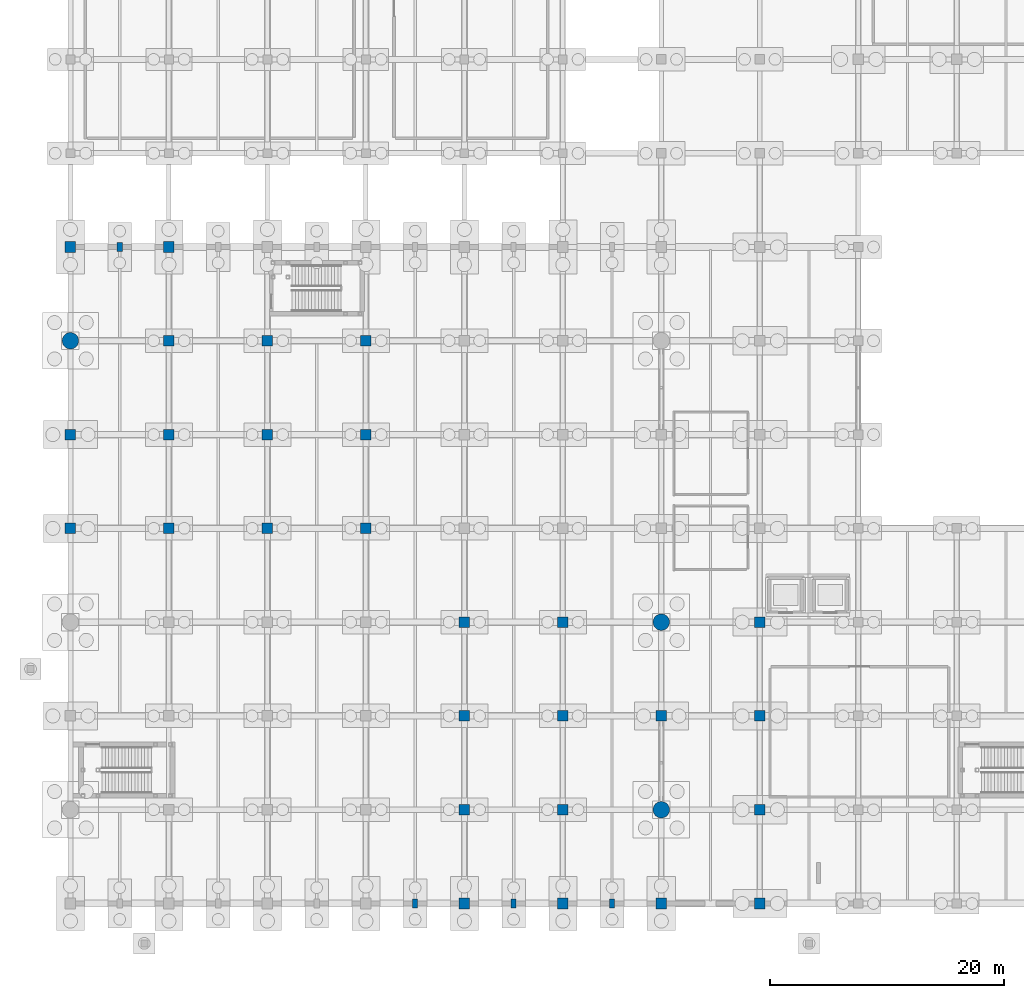
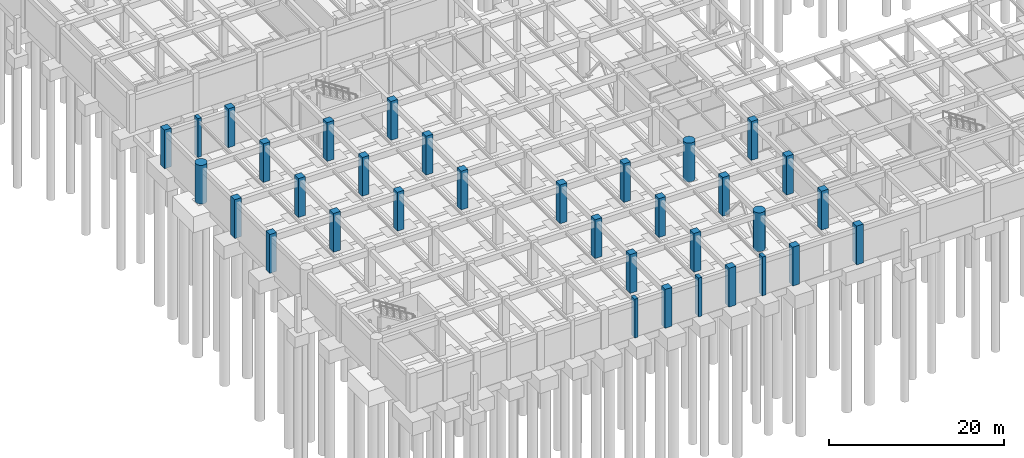
# One storey, part 12 of 56: 34 columns.
"""IFC4 building model written with IfcOpenShell, lengths in metres."""

from ifc_helpers import new_model, si_unit, direction, frame, origin, origin_2d, place, context, subcontext, project, spatial, rectangle, circle, extrude, material, material_profile, profile_set, type_object, element, save


model = new_model("IFC4")

# Units and contexts
model_context = context("Model", 3, precision=1e-05, world=origin(), true_north=direction((0.0, 1.0)))
body_context = subcontext(model_context, "Body", "Model", "MODEL_VIEW")
ifc_project = project(units=[si_unit("LENGTHUNIT", "METRE"), si_unit("AREAUNIT", "SQUARE_METRE"), si_unit("VOLUMEUNIT", "CUBIC_METRE"), si_unit("PLANEANGLEUNIT", "RADIAN"), si_unit("MASSUNIT", "GRAM", prefix="KILO")], contexts=[model_context])

# Site, building, storey
site_placement = place(None, origin())
site = spatial("IfcSite", under=ifc_project, at=site_placement, CompositionType="ELEMENT")
building_placement = place(site_placement, origin())
building = spatial("IfcBuilding", under=site, at=building_placement, Name="Naruveol Harbour Congress Hotel", CompositionType="ELEMENT")
storey_placement = place(building_placement, frame((0.0, 0.0, -5.39990234375)))
storey = spatial("IfcBuildingStorey", under=building, at=storey_placement, Name="B01", CompositionType="ELEMENT", Elevation=-5.39990234375)

# Columns
ifc_material_1 = material(Name="Concrete C50/60", Category="concrete")
ifc_material_profile_1 = material_profile(ifc_material_1, rectangle(XDim=0.449951171875, YDim=0.800048828125, at=origin_2d()), Name="RC-450x800")
ifc_profile_set_1 = profile_set([ifc_material_profile_1], Name="Concrete C50/60")
column_type_1 = type_object("IfcColumnType", Name="RC ACOUSTIC WALL PILASTER 450X800", PredefinedType="PILASTER", material=ifc_profile_set_1)
for number, where, z_axis, x_axis, name in (
    (1, (4.199951171875, 56.0, 0.0), (0.0, 0.0, 1.0), (1.0, 0.0, 0.0), "Column PL-450 B01 (4.2,56.0)"),
    (2, (29.39990234375, 0.0, 0.0), (0.0, 0.0, 1.0), (1.0, 0.0, 0.0), "Column PL-450 B01 (29.4,0.0)"),
    (3, (37.800048828125, 0.0, 0.0), (0.0, 0.0, 1.0), (1.0, 0.0, 0.0), "Column PL-450 B01 (37.8,0.0)"),
    (4, (46.199951171875, 0.0, 0.0), (0.0, 0.0, 1.0), (1.0, 0.0, 0.0), "Column PL-450 B01 (46.2,0.0)"),
):
    element("IfcColumn", number, at=place(storey_placement, frame(where, z_axis=z_axis, x_axis=x_axis)), inside=storey, type_object=column_type_1, Name=name, PredefinedType="PILASTER", context=body_context, shape_type="SweptSolid", body=[
        extrude(rectangle(XDim=0.449951171875, YDim=0.800048828125, at=origin_2d()), origin(), (0.0, 0.0, 1.0), 5.39990234375),
    ])
ifc_material_2 = material(Name="Concrete C50/60", Category="concrete")
ifc_material_profile_2 = material_profile(ifc_material_2, circle(Radius=0.699951171875, at=origin_2d()), Name="RC-D1400")
ifc_profile_set_2 = profile_set([ifc_material_profile_2], Name="Concrete C50/60")
column_type_2 = type_object("IfcColumnType", Name="RC MEGA COLUMN D1400", PredefinedType="COLUMN", material=ifc_profile_set_2)
for number, where, z_axis, x_axis, name in (
    (5, (0.0, 48.0, 0.0), (0.0, 0.0, 1.0), (1.0, 0.0, 0.0), "Column C-MD1400 B01 (0.0,48.0)"),
    (6, (50.39990234375, 8.0, 0.0), (0.0, 0.0, 1.0), (1.0, 0.0, 0.0), "Column C-MD1400 B01 (50.4,8.0)"),
    (7, (50.39990234375, 24.0, 0.0), (0.0, 0.0, 1.0), (1.0, 0.0, 0.0), "Column C-MD1400 B01 (50.4,24.0)"),
):
    element("IfcColumn", number, at=place(storey_placement, frame(where, z_axis=z_axis, x_axis=x_axis)), inside=storey, type_object=column_type_2, Name=name, PredefinedType="COLUMN", context=body_context, shape_type="SweptSolid", body=[
        extrude(circle(Radius=0.699951171875, at=origin_2d()), origin(), (0.0, 0.0, 1.0), 5.39990234375),
    ])
ifc_material_3 = material(Name="Concrete C50/60", Category="concrete")
ifc_material_profile_3 = material_profile(ifc_material_3, rectangle(XDim=0.89990234375, YDim=0.89990234375, at=origin_2d()), Name="RC-900x900")
ifc_profile_set_3 = profile_set([ifc_material_profile_3], Name="Concrete C50/60")
column_type_3 = type_object("IfcColumnType", Name="RC PRIMARY COLUMN 900X900", PredefinedType="COLUMN", material=ifc_profile_set_3)
for number, where, z_axis, x_axis, name in (
    (8, (0.0, 32.0, 0.0), (0.0, 0.0, 1.0), (1.0, 0.0, 0.0), "Column C-900 B01 (0.0,32.0)"),
    (9, (0.0, 40.0, 0.0), (0.0, 0.0, 1.0), (1.0, 0.0, 0.0), "Column C-900 B01 (0.0,40.0)"),
    (10, (0.0, 56.0, 0.0), (0.0, 0.0, 1.0), (1.0, 0.0, 0.0), "Column C-900 B01 (0.0,56.0)"),
    (11, (8.39990234375, 32.0, 0.0), (0.0, 0.0, 1.0), (1.0, 0.0, 0.0), "Column C-900 B01 (8.4,32.0)"),
    (12, (8.39990234375, 40.0, 0.0), (0.0, 0.0, 1.0), (1.0, 0.0, 0.0), "Column C-900 B01 (8.4,40.0)"),
    (13, (8.39990234375, 48.0, 0.0), (0.0, 0.0, 1.0), (1.0, 0.0, 0.0), "Column C-900 B01 (8.4,48.0)"),
    (14, (8.39990234375, 56.0, 0.0), (0.0, 0.0, 1.0), (1.0, 0.0, 0.0), "Column C-900 B01 (8.4,56.0)"),
    (15, (16.800048828125, 32.0, 0.0), (0.0, 0.0, 1.0), (1.0, 0.0, 0.0), "Column C-900 B01 (16.8,32.0)"),
    (16, (16.800048828125, 40.0, 0.0), (0.0, 0.0, 1.0), (1.0, 0.0, 0.0), "Column C-900 B01 (16.8,40.0)"),
    (17, (16.800048828125, 48.0, 0.0), (0.0, 0.0, 1.0), (1.0, 0.0, 0.0), "Column C-900 B01 (16.8,48.0)"),
    (18, (25.199951171875, 32.0, 0.0), (0.0, 0.0, 1.0), (1.0, 0.0, 0.0), "Column C-900 B01 (25.2,32.0)"),
    (19, (25.199951171875, 40.0, 0.0), (0.0, 0.0, 1.0), (1.0, 0.0, 0.0), "Column C-900 B01 (25.2,40.0)"),
    (20, (25.199951171875, 48.0, 0.0), (0.0, 0.0, 1.0), (1.0, 0.0, 0.0), "Column C-900 B01 (25.2,48.0)"),
    (21, (33.60009765625, 0.0, 0.0), (0.0, 0.0, 1.0), (1.0, 0.0, 0.0), "Column C-900 B01 (33.6,0.0)"),
    (22, (33.60009765625, 8.0, 0.0), (0.0, 0.0, 1.0), (1.0, 0.0, 0.0), "Column C-900 B01 (33.6,8.0)"),
    (23, (33.60009765625, 16.0, 0.0), (0.0, 0.0, 1.0), (1.0, 0.0, 0.0), "Column C-900 B01 (33.6,16.0)"),
    (24, (33.60009765625, 24.0, 0.0), (0.0, 0.0, 1.0), (1.0, 0.0, 0.0), "Column C-900 B01 (33.6,24.0)"),
    (25, (42.0, 0.0, 0.0), (0.0, 0.0, 1.0), (1.0, 0.0, 0.0), "Column C-900 B01 (42.0,0.0)"),
    (26, (42.0, 8.0, 0.0), (0.0, 0.0, 1.0), (1.0, 0.0, 0.0), "Column C-900 B01 (42.0,8.0)"),
    (27, (42.0, 16.0, 0.0), (0.0, 0.0, 1.0), (1.0, 0.0, 0.0), "Column C-900 B01 (42.0,16.0)"),
    (28, (42.0, 24.0, 0.0), (0.0, 0.0, 1.0), (1.0, 0.0, 0.0), "Column C-900 B01 (42.0,24.0)"),
    (29, (50.39990234375, 0.0, 0.0), (0.0, 0.0, 1.0), (1.0, 0.0, 0.0), "Column C-900 B01 (50.4,0.0)"),
    (30, (50.39990234375, 16.0, 0.0), (0.0, 0.0, 1.0), (1.0, 0.0, 0.0), "Column C-900 B01 (50.4,16.0)"),
    (31, (58.800048828125, 0.0, 0.0), (0.0, 0.0, 1.0), (1.0, 0.0, 0.0), "Column C-900 B01 (58.8,0.0)"),
    (32, (58.800048828125, 8.0, 0.0), (0.0, 0.0, 1.0), (1.0, 0.0, 0.0), "Column C-900 B01 (58.8,8.0)"),
    (33, (58.800048828125, 16.0, 0.0), (0.0, 0.0, 1.0), (1.0, 0.0, 0.0), "Column C-900 B01 (58.8,16.0)"),
    (34, (58.800048828125, 24.0, 0.0), (0.0, 0.0, 1.0), (1.0, 0.0, 0.0), "Column C-900 B01 (58.8,24.0)"),
):
    element("IfcColumn", number, at=place(storey_placement, frame(where, z_axis=z_axis, x_axis=x_axis)), inside=storey, type_object=column_type_3, Name=name, PredefinedType="COLUMN", context=body_context, shape_type="SweptSolid", body=[
        extrude(rectangle(XDim=0.89990234375, YDim=0.89990234375, at=origin_2d()), origin(), (0.0, 0.0, 1.0), 5.39990234375),
    ])

save(model, "model.ifc")
